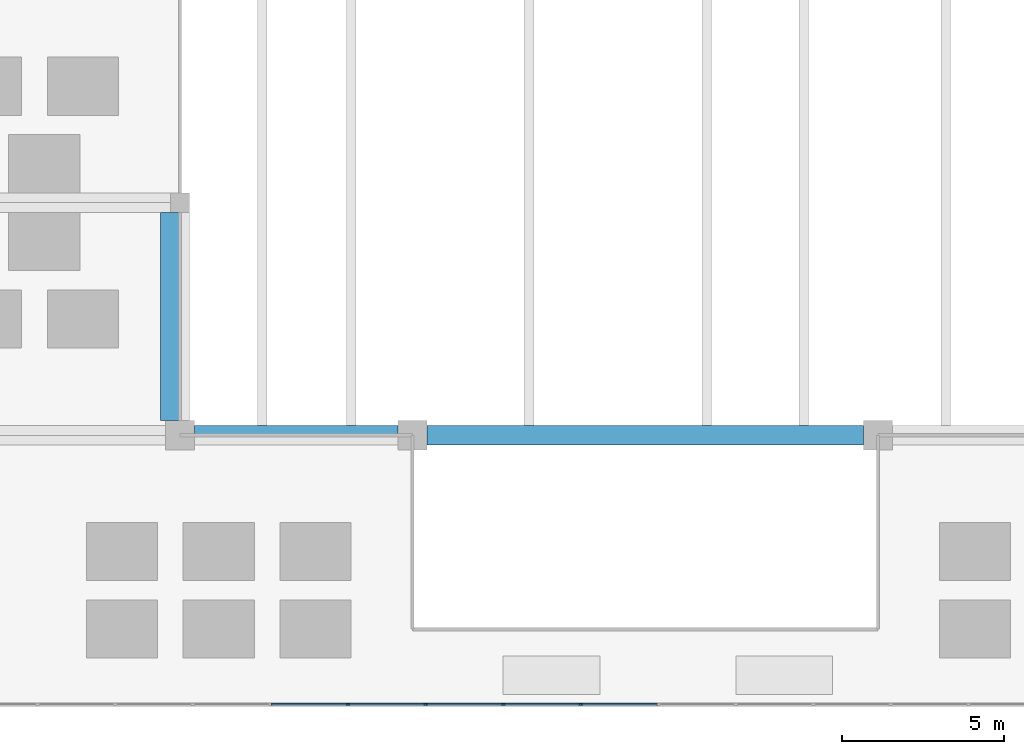
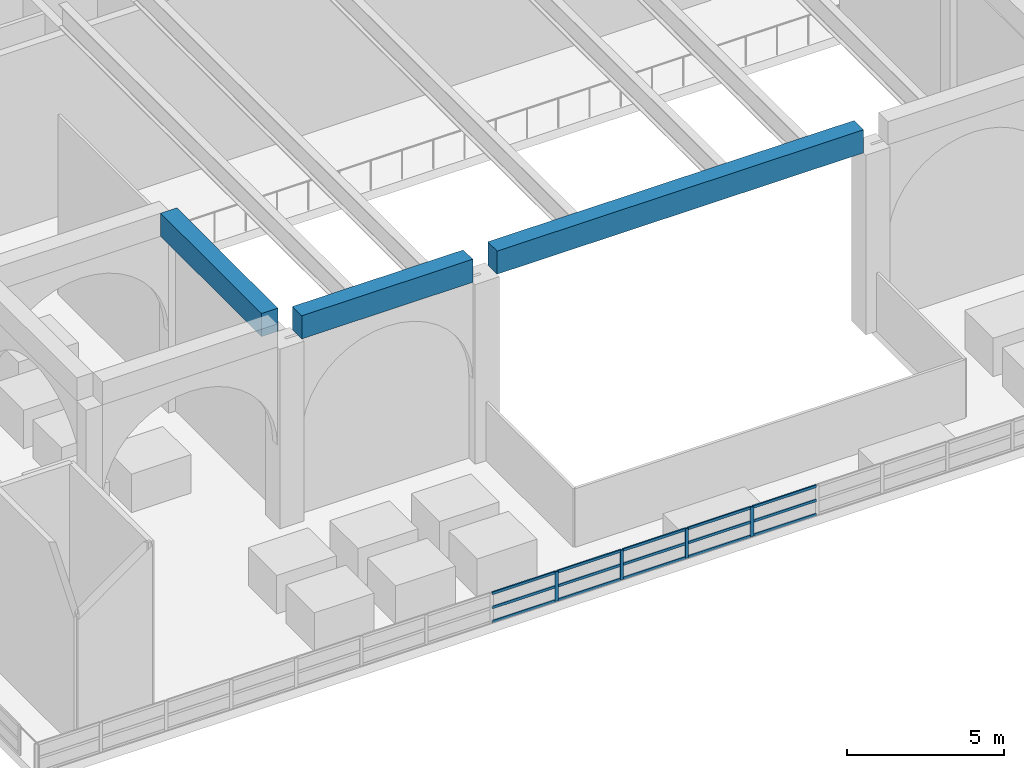
# One storey, part 3 of 17: 19 members, 3 beams, 1 element without a shape of its own.
"""IFC4 building model written with IfcOpenShell, lengths in metres."""

from ifc_helpers import new_model, si_unit, direction, frame, origin, origin_2d, place, context, subcontext, project, spatial, rectangle, extrude, source, transform, mapped, material, layer, layer_set, material_profile, profile_set, type_object, element, aggregate, save


model = new_model("IFC4")

# Units and contexts
model_context = context("Model", 3, precision=1e-05, world=origin(), true_north=direction((0.0, 1.0)))
body_context = subcontext(model_context, "Body", "Model", "MODEL_VIEW")
ifc_project = project(units=[si_unit("LENGTHUNIT", "METRE"), si_unit("AREAUNIT", "SQUARE_METRE"), si_unit("VOLUMEUNIT", "CUBIC_METRE"), si_unit("PLANEANGLEUNIT", "RADIAN"), si_unit("MASSUNIT", "GRAM", prefix="KILO")], contexts=[model_context])

# Site, building, storey
site_placement = place(None, origin())
site = spatial("IfcSite", under=ifc_project, at=site_placement, CompositionType="ELEMENT")
building_placement = place(site_placement, origin())
building = spatial("IfcBuilding", under=site, at=building_placement, Name="Saffron Iwan Residences", CompositionType="ELEMENT")
storey_placement = place(building_placement, frame((0.0, 0.0, 274.5)))
storey = spatial("IfcBuildingStorey", under=building, at=storey_placement, Name="L74", CompositionType="ELEMENT", Elevation=274.5)

# Beams
ifc_material_1 = material(Name="Concrete C40/50", Category="concrete")
ifc_material_profile_1 = material_profile(ifc_material_1, rectangle(XDim=0.60009765625, YDim=0.89990234375, at=origin_2d()), Name="RC 600x900")
ifc_profile_set_1 = profile_set([ifc_material_profile_1], Name="Concrete C40/50")
beam_type = type_object("IfcBeamType", Name="BEAM RC 600x900 C40/50 TOP 7900", PredefinedType="BEAM", material=ifc_profile_set_1)
shared_shape_1 = source(origin(), body_context, "Body", "SweptSolid", [
    extrude(rectangle(XDim=0.60009765625, YDim=0.89990234375, at=origin_2d()), origin(), (0.0, 0.0, 1.0), 6.449951171875),
])
beam_1_placement = place(storey_placement, frame((35.699951171875, 48.449951171875, 7.449951171875), z_axis=(0.0, 1.0, 0.0), x_axis=(-1.0, 0.0, 0.0)))
element("IfcBeam", 1, at=beam_1_placement, inside=storey, type_object=beam_type, Name="Rooflight kerb beam", PredefinedType="BEAM", context=body_context, shape_type="MappedRepresentation", body=[
    mapped(shared_shape_1, transform((0.0, 0.0, 0.0))),
])
shared_shape_2 = source(origin(), body_context, "Body", "SweptSolid", [
    extrude(rectangle(XDim=0.60009765625, YDim=0.89990234375, at=origin_2d()), origin(), (0.0, 0.0, 1.0), 6.300048828125),
])
beam_2_placement = place(storey_placement, frame((42.75, 48.0, 7.449951171875), z_axis=(-1.0, 0.0, 0.0), x_axis=(0.0, -1.0, 0.0)))
element("IfcBeam", 2, at=beam_2_placement, inside=storey, type_object=beam_type, Name="Crown ring beam", PredefinedType="BEAM", context=body_context, shape_type="MappedRepresentation", body=[
    mapped(shared_shape_2, transform((0.0, 0.0, 0.0))),
])
shared_shape_3 = source(origin(), body_context, "Body", "SweptSolid", [
    extrude(rectangle(XDim=0.60009765625, YDim=0.89990234375, at=origin_2d()), origin(), (0.0, 0.0, 1.0), 13.5),
])
beam_3_placement = place(storey_placement, frame((57.14990234375, 48.0, 7.449951171875), z_axis=(-1.0, 0.0, 0.0), x_axis=(0.0, -1.0, 0.0)))
element("IfcBeam", 3, at=beam_3_placement, inside=storey, type_object=beam_type, Name="Crown ring beam", PredefinedType="BEAM", context=body_context, shape_type="MappedRepresentation", body=[
    mapped(shared_shape_3, transform((0.0, 0.0, 0.0))),
])

# Curtain wall, members
ifc_material_2 = material(Name="Clear glass, laminated double glazed", Category="glass")
ifc_layer = layer(ifc_material_2, 0.10009765625)
ifc_layer_set = layer_set([ifc_layer], Name="Clear glass, laminated double glazed")
curtain_wall_type = type_object("IfcCurtainWallType", Name="CW-F ROOF TERRACE GLAZED GUARD", PredefinedType="NOTDEFINED", material=ifc_layer_set)
curtain_wall_placement = place(storey_placement, origin())
curtain_wall = element("IfcCurtainWall", 4, at=curtain_wall_placement, inside=storey, type_object=curtain_wall_type, Name="Glazed terrace guard F11.12", PredefinedType="NOTDEFINED")
ifc_material_3 = material(Name="Aluminium 6063-T6", Category="aluminium")
ifc_material_profile_2 = material_profile(ifc_material_3, rectangle(XDim=0.050048828125, YDim=0.1201171875, at=origin_2d()), Name="CW-F MULLION 50 x 120")
ifc_profile_set_2 = profile_set([ifc_material_profile_2], Name="Aluminium 6063-T6")
member_type_1 = type_object("IfcMemberType", Name="CW-F MULLION 50 x 120", PredefinedType="MULLION", material=ifc_profile_set_2)
shared_shape_4 = source(origin(), body_context, "Body", "SweptSolid", [
    extrude(rectangle(XDim=0.050048828125, YDim=0.1201171875, at=origin_2d()), origin(), (0.0, 0.0, 1.0), 1.14990234375),
])
member_1_placement = place(storey_placement, frame((41.199951171875, 39.675048828125, 0.0), z_axis=(0.0, 0.0, 1.0), x_axis=(0.0, 1.0, 0.0)))
member_1 = element("IfcMember", 5, at=member_1_placement, type_object=member_type_1, Name="CW-F mullion 9", PredefinedType="MULLION", context=body_context, shape_type="MappedRepresentation", body=[
    mapped(shared_shape_4, transform((0.0, 0.0, 0.0))),
])
member_2_placement = place(storey_placement, frame((43.60009765625, 39.675048828125, 0.0), z_axis=(0.0, 0.0, 1.0), x_axis=(0.0, 1.0, 0.0)))
member_2 = element("IfcMember", 6, at=member_2_placement, type_object=member_type_1, Name="CW-F mullion 10", PredefinedType="MULLION", context=body_context, shape_type="MappedRepresentation", body=[
    mapped(shared_shape_4, transform((0.0, 0.0, 0.0))),
])
member_3_placement = place(storey_placement, frame((46.0, 39.675048828125, 0.0), z_axis=(0.0, 0.0, 1.0), x_axis=(0.0, 1.0, 0.0)))
member_3 = element("IfcMember", 7, at=member_3_placement, type_object=member_type_1, Name="CW-F mullion 11", PredefinedType="MULLION", context=body_context, shape_type="MappedRepresentation", body=[
    mapped(shared_shape_4, transform((0.0, 0.0, 0.0))),
])
member_4_placement = place(storey_placement, frame((48.39990234375, 39.675048828125, 0.0), z_axis=(0.0, 0.0, 1.0), x_axis=(0.0, 1.0, 0.0)))
member_4 = element("IfcMember", 8, at=member_4_placement, type_object=member_type_1, Name="CW-F mullion 12", PredefinedType="MULLION", context=body_context, shape_type="MappedRepresentation", body=[
    mapped(shared_shape_4, transform((0.0, 0.0, 0.0))),
])
ifc_material_profile_3 = material_profile(ifc_material_3, rectangle(XDim=0.050048828125, YDim=0.10009765625, at=origin_2d()), Name="CW-F TRANSOM 50 x 100")
ifc_profile_set_3 = profile_set([ifc_material_profile_3], Name="Aluminium 6063-T6")
member_type_2 = type_object("IfcMemberType", Name="CW-F TRANSOM 50 x 100", PredefinedType="USERDEFINED", material=ifc_profile_set_3)
shared_shape_5 = source(origin(), body_context, "Body", "SweptSolid", [
    extrude(rectangle(XDim=0.050048828125, YDim=0.10009765625, at=origin_2d()), origin(), (0.0, 0.0, 1.0), 2.349853515625),
])
member_5_placement = place(storey_placement, frame((41.22509765625, 39.675048828125, 0.02490234375), z_axis=(1.0, 0.0, 0.0), x_axis=(0.0, 1.0, 0.0)))
member_5 = element("IfcMember", 9, at=member_5_placement, type_object=member_type_2, Name="CW-F transom 9.1", ObjectType="TRANSOM", PredefinedType="USERDEFINED", context=body_context, shape_type="MappedRepresentation", body=[
    mapped(shared_shape_5, transform((0.0, 0.0, 0.0))),
])
member_6_placement = place(storey_placement, frame((41.22509765625, 39.675048828125, 0.574951171875), z_axis=(1.0, 0.0, 0.0), x_axis=(0.0, 1.0, 0.0)))
member_6 = element("IfcMember", 10, at=member_6_placement, type_object=member_type_2, Name="CW-F transom 9.2", ObjectType="TRANSOM", PredefinedType="USERDEFINED", context=body_context, shape_type="MappedRepresentation", body=[
    mapped(shared_shape_5, transform((0.0, 0.0, 0.0))),
])
member_7_placement = place(storey_placement, frame((41.22509765625, 39.675048828125, 1.125), z_axis=(1.0, 0.0, 0.0), x_axis=(0.0, 1.0, 0.0)))
member_7 = element("IfcMember", 11, at=member_7_placement, type_object=member_type_2, Name="CW-F transom 9.3", ObjectType="TRANSOM", PredefinedType="USERDEFINED", context=body_context, shape_type="MappedRepresentation", body=[
    mapped(shared_shape_5, transform((0.0, 0.0, 0.0))),
])
member_8_placement = place(storey_placement, frame((48.425048828125, 39.675048828125, 0.02490234375), z_axis=(1.0, 0.0, 0.0), x_axis=(0.0, 1.0, 0.0)))
member_8 = element("IfcMember", 12, at=member_8_placement, type_object=member_type_2, Name="CW-F transom 12.1", ObjectType="TRANSOM", PredefinedType="USERDEFINED", context=body_context, shape_type="MappedRepresentation", body=[
    mapped(shared_shape_5, transform((0.0, 0.0, 0.0))),
])
member_9_placement = place(storey_placement, frame((48.425048828125, 39.675048828125, 0.574951171875), z_axis=(1.0, 0.0, 0.0), x_axis=(0.0, 1.0, 0.0)))
member_9 = element("IfcMember", 13, at=member_9_placement, type_object=member_type_2, Name="CW-F transom 12.2", ObjectType="TRANSOM", PredefinedType="USERDEFINED", context=body_context, shape_type="MappedRepresentation", body=[
    mapped(shared_shape_5, transform((0.0, 0.0, 0.0))),
])
member_10_placement = place(storey_placement, frame((48.425048828125, 39.675048828125, 1.125), z_axis=(1.0, 0.0, 0.0), x_axis=(0.0, 1.0, 0.0)))
member_10 = element("IfcMember", 14, at=member_10_placement, type_object=member_type_2, Name="CW-F transom 12.3", ObjectType="TRANSOM", PredefinedType="USERDEFINED", context=body_context, shape_type="MappedRepresentation", body=[
    mapped(shared_shape_5, transform((0.0, 0.0, 0.0))),
])
shared_shape_6 = source(origin(), body_context, "Body", "SweptSolid", [
    extrude(rectangle(XDim=0.050048828125, YDim=0.10009765625, at=origin_2d()), origin(), (0.0, 0.0, 1.0), 2.35009765625),
])
member_11_placement = place(storey_placement, frame((38.824951171875, 39.675048828125, 0.02490234375), z_axis=(1.0, 0.0, 0.0), x_axis=(0.0, 1.0, 0.0)))
member_11 = element("IfcMember", 15, at=member_11_placement, type_object=member_type_2, Name="CW-F transom 8.1", ObjectType="TRANSOM", PredefinedType="USERDEFINED", context=body_context, shape_type="MappedRepresentation", body=[
    mapped(shared_shape_6, transform((0.0, 0.0, 0.0))),
])
member_12_placement = place(storey_placement, frame((38.824951171875, 39.675048828125, 0.574951171875), z_axis=(1.0, 0.0, 0.0), x_axis=(0.0, 1.0, 0.0)))
member_12 = element("IfcMember", 16, at=member_12_placement, type_object=member_type_2, Name="CW-F transom 8.2", ObjectType="TRANSOM", PredefinedType="USERDEFINED", context=body_context, shape_type="MappedRepresentation", body=[
    mapped(shared_shape_6, transform((0.0, 0.0, 0.0))),
])
member_13_placement = place(storey_placement, frame((38.824951171875, 39.675048828125, 1.125), z_axis=(1.0, 0.0, 0.0), x_axis=(0.0, 1.0, 0.0)))
member_13 = element("IfcMember", 17, at=member_13_placement, type_object=member_type_2, Name="CW-F transom 8.3", ObjectType="TRANSOM", PredefinedType="USERDEFINED", context=body_context, shape_type="MappedRepresentation", body=[
    mapped(shared_shape_6, transform((0.0, 0.0, 0.0))),
])
member_14_placement = place(storey_placement, frame((43.625, 39.675048828125, 0.02490234375), z_axis=(1.0, 0.0, 0.0), x_axis=(0.0, 1.0, 0.0)))
member_14 = element("IfcMember", 18, at=member_14_placement, type_object=member_type_2, Name="CW-F transom 10.1", ObjectType="TRANSOM", PredefinedType="USERDEFINED", context=body_context, shape_type="MappedRepresentation", body=[
    mapped(shared_shape_6, transform((0.0, 0.0, 0.0))),
])
member_15_placement = place(storey_placement, frame((43.625, 39.675048828125, 0.574951171875), z_axis=(1.0, 0.0, 0.0), x_axis=(0.0, 1.0, 0.0)))
member_15 = element("IfcMember", 19, at=member_15_placement, type_object=member_type_2, Name="CW-F transom 10.2", ObjectType="TRANSOM", PredefinedType="USERDEFINED", context=body_context, shape_type="MappedRepresentation", body=[
    mapped(shared_shape_6, transform((0.0, 0.0, 0.0))),
])
member_16_placement = place(storey_placement, frame((43.625, 39.675048828125, 1.125), z_axis=(1.0, 0.0, 0.0), x_axis=(0.0, 1.0, 0.0)))
member_16 = element("IfcMember", 20, at=member_16_placement, type_object=member_type_2, Name="CW-F transom 10.3", ObjectType="TRANSOM", PredefinedType="USERDEFINED", context=body_context, shape_type="MappedRepresentation", body=[
    mapped(shared_shape_6, transform((0.0, 0.0, 0.0))),
])
member_17_placement = place(storey_placement, frame((46.02490234375, 39.675048828125, 0.02490234375), z_axis=(1.0, 0.0, 0.0), x_axis=(0.0, 1.0, 0.0)))
member_17 = element("IfcMember", 21, at=member_17_placement, type_object=member_type_2, Name="CW-F transom 11.1", ObjectType="TRANSOM", PredefinedType="USERDEFINED", context=body_context, shape_type="MappedRepresentation", body=[
    mapped(shared_shape_6, transform((0.0, 0.0, 0.0))),
])
member_18_placement = place(storey_placement, frame((46.02490234375, 39.675048828125, 0.574951171875), z_axis=(1.0, 0.0, 0.0), x_axis=(0.0, 1.0, 0.0)))
member_18 = element("IfcMember", 22, at=member_18_placement, type_object=member_type_2, Name="CW-F transom 11.2", ObjectType="TRANSOM", PredefinedType="USERDEFINED", context=body_context, shape_type="MappedRepresentation", body=[
    mapped(shared_shape_6, transform((0.0, 0.0, 0.0))),
])
member_19_placement = place(storey_placement, frame((46.02490234375, 39.675048828125, 1.125), z_axis=(1.0, 0.0, 0.0), x_axis=(0.0, 1.0, 0.0)))
member_19 = element("IfcMember", 23, at=member_19_placement, type_object=member_type_2, Name="CW-F transom 11.3", ObjectType="TRANSOM", PredefinedType="USERDEFINED", context=body_context, shape_type="MappedRepresentation", body=[
    mapped(shared_shape_6, transform((0.0, 0.0, 0.0))),
])
aggregate(curtain_wall, [member_1, member_2, member_3, member_4, member_11, member_12, member_13, member_5, member_6, member_7, member_14, member_15, member_16, member_17, member_18, member_19, member_8, member_9, member_10])

save(model, "model.ifc")
